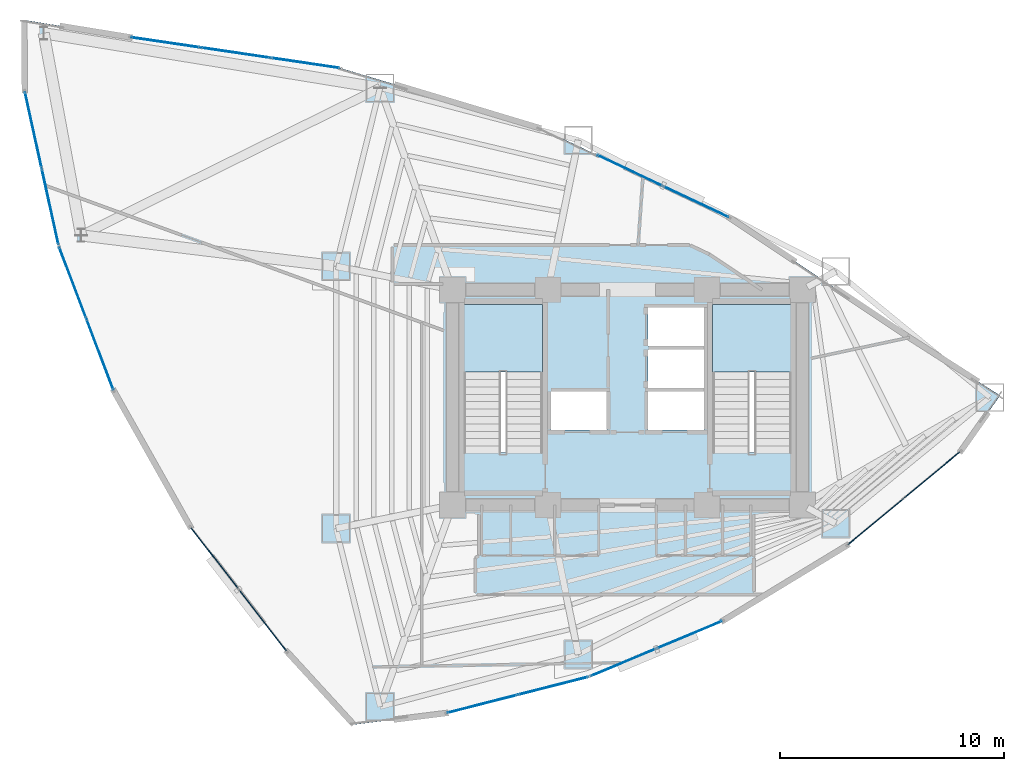
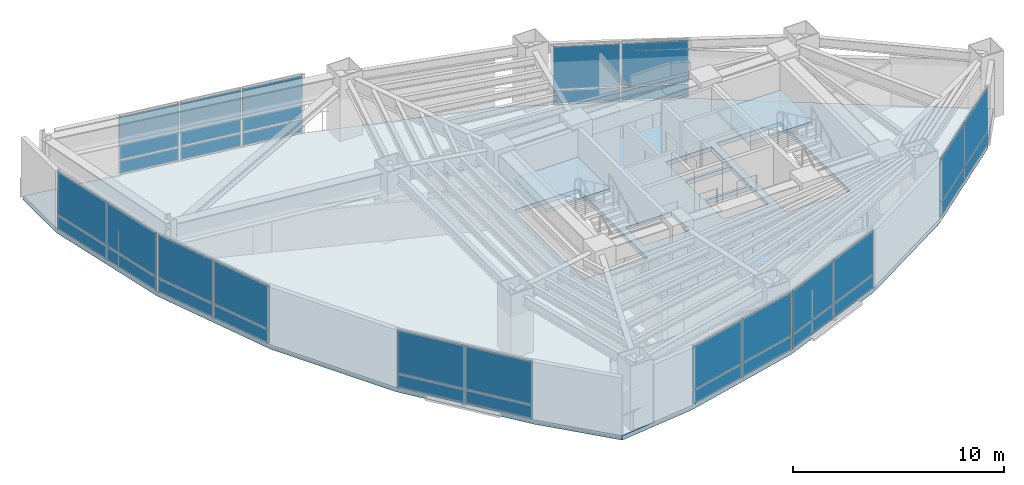
# One storey, part 18 of 25: 34 plates, 3 slabs, 10 elements without a shape of their own.
"""IFC4 building model written with IfcOpenShell, lengths in metres."""

from ifc_helpers import new_model, si_unit, direction, frame, origin, origin_2d, place, context, subcontext, project, spatial, polyline, rectangle, outline, extrude, material, layer, layer_set, type_object, element, aggregate, save


model = new_model("IFC4")

# Units and contexts
model_context = context("Model", 3, precision=1e-05, world=origin(), true_north=direction((0.0, 1.0)))
body_context = subcontext(model_context, "Body", "Model", "MODEL_VIEW")
ifc_project = project(units=[si_unit("LENGTHUNIT", "METRE"), si_unit("AREAUNIT", "SQUARE_METRE"), si_unit("VOLUMEUNIT", "CUBIC_METRE"), si_unit("PLANEANGLEUNIT", "RADIAN"), si_unit("MASSUNIT", "GRAM", prefix="KILO")], contexts=[model_context])

# Site, building, storey
site_placement = place(None, origin())
site = spatial("IfcSite", under=ifc_project, at=site_placement, CompositionType="ELEMENT")
building_placement = place(site_placement, origin())
building = spatial("IfcBuilding", under=site, at=building_placement, Name="Menara Vayukalpa", CompositionType="ELEMENT")
storey_placement = place(building_placement, frame((0.0, 0.0, 115.139892578125)))
storey = spatial("IfcBuildingStorey", under=building, at=storey_placement, Name="L28", CompositionType="ELEMENT", Elevation=115.139892578125)

# Curtain wall, plates
ifc_material_1 = material(Name="Anodised Terracotta Aluminium Alloy 6063-T6", Category="masonry")
ifc_layer_1 = layer(ifc_material_1, 0.179931640625)
ifc_layer_set_1 = layer_set([ifc_layer_1], Name="Anodised Terracotta Aluminium Alloy 6063-T6")
curtain_wall_type = type_object("IfcCurtainWallType", Name="CW-CW4", PredefinedType="USERDEFINED", material=ifc_layer_set_1)
curtain_wall_1_placement = place(storey_placement, origin())
curtain_wall_1 = element("IfcCurtainWall", 1, at=curtain_wall_1_placement, inside=storey, type_object=curtain_wall_type, Name="L28 Sky Bar Cantilever Glazed Curtain Wall CW4 05", ObjectType="UNITISED", PredefinedType="USERDEFINED")
ifc_material_2 = material(Name="Low-E Double Glazing", Category="glass")
ifc_layer_2 = layer(ifc_material_2, 0.0380859375)
ifc_layer_set_2 = layer_set([ifc_layer_2], Name="Low-E Double Glazing")
plate_type = type_object("IfcPlateType", Name="CWP-CW4", PredefinedType="CURTAIN_PANEL", material=ifc_layer_set_2)
plate_1_placement = place(storey_placement, frame((28.653076171875, 30.7216796875, 0.070068359375), z_axis=(0.0, 0.0, 1.0), x_axis=(-0.903839947796, 0.427870715016, 0.0)))
plate_1 = element("IfcPlate", 2, at=plate_1_placement, type_object=plate_type, Name="CW4 panel 1.1", PredefinedType="CURTAIN_PANEL", context=body_context, shape_type="SweptSolid", body=[
    extrude(rectangle(XDim=3.18701171875, YDim=0.0380859375, at=origin_2d()), origin(), (0.0, 0.0, 1.0), 0.7451171875),
])
plate_2_placement = place(storey_placement, frame((28.653076171875, 30.7216796875, 0.88525390625), z_axis=(0.0, 0.0, 1.0), x_axis=(-0.903839947796, 0.427870715016, 0.0)))
plate_2 = element("IfcPlate", 3, at=plate_2_placement, type_object=plate_type, Name="CW4 panel 1.2", PredefinedType="CURTAIN_PANEL", context=body_context, shape_type="SweptSolid", body=[
    extrude(rectangle(XDim=3.18701171875, YDim=0.0380859375, at=origin_2d()), origin(), (0.0, 0.0, 1.0), 2.485107421875),
])
plate_3_placement = place(storey_placement, frame((25.704833984375, 32.1171875, 0.070068359375), z_axis=(0.0, 0.0, 1.0), x_axis=(-0.903839947796, 0.427870715016, 0.0)))
plate_3 = element("IfcPlate", 4, at=plate_3_placement, type_object=plate_type, Name="CW4 panel 2.1", PredefinedType="CURTAIN_PANEL", context=body_context, shape_type="SweptSolid", body=[
    extrude(rectangle(XDim=3.18701171875, YDim=0.0380859375, at=origin_2d()), origin(), (0.0, 0.0, 1.0), 0.7451171875),
])
plate_4_placement = place(storey_placement, frame((25.704833984375, 32.1171875, 0.88525390625), z_axis=(0.0, 0.0, 1.0), x_axis=(-0.903839947796, 0.427870715016, 0.0)))
plate_4 = element("IfcPlate", 5, at=plate_4_placement, type_object=plate_type, Name="CW4 panel 2.2", PredefinedType="CURTAIN_PANEL", context=body_context, shape_type="SweptSolid", body=[
    extrude(rectangle(XDim=3.18701171875, YDim=0.0380859375, at=origin_2d()), origin(), (0.0, 0.0, 1.0), 2.485107421875),
])
aggregate(curtain_wall_1, [plate_1, plate_2, plate_3, plate_4])

curtain_wall_2_placement = place(storey_placement, origin())
curtain_wall_2 = element("IfcCurtainWall", 6, at=curtain_wall_2_placement, inside=storey, type_object=curtain_wall_type, Name="L28 Sky Bar Cantilever Glazed Curtain Wall CW4 07", ObjectType="UNITISED", PredefinedType="USERDEFINED")
plate_5_placement = place(storey_placement, frame((11.241455078125, 36.909423828125, 0.070068359375), z_axis=(0.0, 0.0, 1.0), x_axis=(-0.989365495659, 0.145450733924, 0.0)))
plate_5 = element("IfcPlate", 7, at=plate_5_placement, type_object=plate_type, Name="CW4 panel 1.1", PredefinedType="CURTAIN_PANEL", context=body_context, shape_type="SweptSolid", body=[
    extrude(rectangle(XDim=3.06005859375, YDim=0.0380859375, at=origin_2d()), origin(), (0.0, 0.0, 1.0), 0.7451171875),
])
plate_6_placement = place(storey_placement, frame((11.241455078125, 36.909423828125, 0.88525390625), z_axis=(0.0, 0.0, 1.0), x_axis=(-0.989365495659, 0.145450733924, 0.0)))
plate_6 = element("IfcPlate", 8, at=plate_6_placement, type_object=plate_type, Name="CW4 panel 1.2", PredefinedType="CURTAIN_PANEL", context=body_context, shape_type="SweptSolid", body=[
    extrude(rectangle(XDim=3.06005859375, YDim=0.0380859375, at=origin_2d()), origin(), (0.0, 0.0, 1.0), 2.485107421875),
])
plate_7_placement = place(storey_placement, frame((8.121337890625, 37.3681640625, 0.070068359375), z_axis=(0.0, 0.0, 1.0), x_axis=(-0.989365495659, 0.145450733924, 0.0)))
plate_7 = element("IfcPlate", 9, at=plate_7_placement, type_object=plate_type, Name="CW4 panel 2.1", PredefinedType="CURTAIN_PANEL", context=body_context, shape_type="SweptSolid", body=[
    extrude(rectangle(XDim=3.097412109375, YDim=0.0380859375, at=origin_2d()), origin(), (0.0, 0.0, 1.0), 0.7451171875),
])
plate_8_placement = place(storey_placement, frame((8.121337890625, 37.3681640625, 0.88525390625), z_axis=(0.0, 0.0, 1.0), x_axis=(-0.989365495659, 0.145450733924, 0.0)))
plate_8 = element("IfcPlate", 10, at=plate_8_placement, type_object=plate_type, Name="CW4 panel 2.2", PredefinedType="CURTAIN_PANEL", context=body_context, shape_type="SweptSolid", body=[
    extrude(rectangle(XDim=3.097412109375, YDim=0.0380859375, at=origin_2d()), origin(), (0.0, 0.0, 1.0), 2.485107421875),
])
plate_9_placement = place(storey_placement, frame((5.001220703125, 37.826904296875, 0.070068359375), z_axis=(0.0, 0.0, 1.0), x_axis=(-0.989365495659, 0.145450733924, 0.0)))
plate_9 = element("IfcPlate", 11, at=plate_9_placement, type_object=plate_type, Name="CW4 panel 3.1", PredefinedType="CURTAIN_PANEL", context=body_context, shape_type="SweptSolid", body=[
    extrude(rectangle(XDim=3.06005859375, YDim=0.0380859375, at=origin_2d()), origin(), (0.0, 0.0, 1.0), 0.7451171875),
])
plate_10_placement = place(storey_placement, frame((5.001220703125, 37.826904296875, 0.88525390625), z_axis=(0.0, 0.0, 1.0), x_axis=(-0.989365495659, 0.145450733924, 0.0)))
plate_10 = element("IfcPlate", 12, at=plate_10_placement, type_object=plate_type, Name="CW4 panel 3.2", PredefinedType="CURTAIN_PANEL", context=body_context, shape_type="SweptSolid", body=[
    extrude(rectangle(XDim=3.06005859375, YDim=0.0380859375, at=origin_2d()), origin(), (0.0, 0.0, 1.0), 2.485107421875),
])
aggregate(curtain_wall_2, [plate_5, plate_6, plate_7, plate_8, plate_9, plate_10])

curtain_wall_3_placement = place(storey_placement, origin())
curtain_wall_3 = element("IfcCurtainWall", 13, at=curtain_wall_3_placement, inside=storey, type_object=curtain_wall_type, Name="L28 Sky Bar Cantilever Glazed Curtain Wall CW4 10", ObjectType="UNITISED", PredefinedType="USERDEFINED")
plate_11_placement = place(storey_placement, frame((-0.8916015625, 33.92529296875, 0.070068359375), z_axis=(0.0, 0.0, 1.0), x_axis=(0.214510159112, -0.976721757533, 0.0)))
plate_11 = element("IfcPlate", 14, at=plate_11_placement, type_object=plate_type, Name="CW4 panel 1.1", PredefinedType="CURTAIN_PANEL", context=body_context, shape_type="SweptSolid", body=[
    extrude(rectangle(XDim=3.427734375, YDim=0.0380859375, at=origin_2d()), origin(), (0.0, 0.0, 1.0), 0.7451171875),
])
plate_12_placement = place(storey_placement, frame((-0.8916015625, 33.92529296875, 0.88525390625), z_axis=(0.0, 0.0, 1.0), x_axis=(0.214510159112, -0.976721757533, 0.0)))
plate_12 = element("IfcPlate", 15, at=plate_12_placement, type_object=plate_type, Name="CW4 panel 1.2", PredefinedType="CURTAIN_PANEL", context=body_context, shape_type="SweptSolid", body=[
    extrude(rectangle(XDim=3.427734375, YDim=0.0380859375, at=origin_2d()), origin(), (0.0, 0.0, 1.0), 2.485107421875),
])
plate_13_placement = place(storey_placement, frame((-0.14013671875, 30.50439453125, 0.070068359375), z_axis=(0.0, 0.0, 1.0), x_axis=(0.214510159112, -0.976721757533, 0.0)))
plate_13 = element("IfcPlate", 16, at=plate_13_placement, type_object=plate_type, Name="CW4 panel 2.1", PredefinedType="CURTAIN_PANEL", context=body_context, shape_type="SweptSolid", body=[
    extrude(rectangle(XDim=3.427734375, YDim=0.0380859375, at=origin_2d()), origin(), (0.0, 0.0, 1.0), 0.7451171875),
])
plate_14_placement = place(storey_placement, frame((-0.14013671875, 30.50439453125, 0.88525390625), z_axis=(0.0, 0.0, 1.0), x_axis=(0.214510159112, -0.976721757533, 0.0)))
plate_14 = element("IfcPlate", 17, at=plate_14_placement, type_object=plate_type, Name="CW4 panel 2.2", PredefinedType="CURTAIN_PANEL", context=body_context, shape_type="SweptSolid", body=[
    extrude(rectangle(XDim=3.427734375, YDim=0.0380859375, at=origin_2d()), origin(), (0.0, 0.0, 1.0), 2.485107421875),
])
aggregate(curtain_wall_3, [plate_11, plate_12, plate_13, plate_14])

curtain_wall_4_placement = place(storey_placement, origin())
curtain_wall_4 = element("IfcCurtainWall", 18, at=curtain_wall_4_placement, inside=storey, type_object=curtain_wall_type, Name="L28 Sky Bar Cantilever Glazed Curtain Wall CW4 11", ObjectType="UNITISED", PredefinedType="USERDEFINED")
plate_15_placement = place(storey_placement, frame((0.864501953125, 27.120361328125, 0.070068359375), z_axis=(0.0, 0.0, 1.0), x_axis=(0.354742140657, -0.934964177732, 0.0)))
plate_15 = element("IfcPlate", 19, at=plate_15_placement, type_object=plate_type, Name="CW4 panel 1.1", PredefinedType="CURTAIN_PANEL", context=body_context, shape_type="SweptSolid", body=[
    extrude(rectangle(XDim=3.35107421875, YDim=0.0380859375, at=origin_2d()), origin(), (0.0, 0.0, 1.0), 0.7451171875),
])
plate_16_placement = place(storey_placement, frame((0.864501953125, 27.120361328125, 0.88525390625), z_axis=(0.0, 0.0, 1.0), x_axis=(0.354742140657, -0.934964177732, 0.0)))
plate_16 = element("IfcPlate", 20, at=plate_16_placement, type_object=plate_type, Name="CW4 panel 1.2", PredefinedType="CURTAIN_PANEL", context=body_context, shape_type="SweptSolid", body=[
    extrude(rectangle(XDim=3.35107421875, YDim=0.0380859375, at=origin_2d()), origin(), (0.0, 0.0, 1.0), 2.485107421875),
])
plate_17_placement = place(storey_placement, frame((2.079833984375, 23.917236328125, 0.070068359375), z_axis=(0.0, 0.0, 1.0), x_axis=(0.354742140657, -0.934964177732, 0.0)))
plate_17 = element("IfcPlate", 21, at=plate_17_placement, type_object=plate_type, Name="CW4 panel 2.1", PredefinedType="CURTAIN_PANEL", context=body_context, shape_type="SweptSolid", body=[
    extrude(rectangle(XDim=3.35107421875, YDim=0.0380859375, at=origin_2d()), origin(), (0.0, 0.0, 1.0), 0.7451171875),
])
plate_18_placement = place(storey_placement, frame((2.079833984375, 23.917236328125, 0.88525390625), z_axis=(0.0, 0.0, 1.0), x_axis=(0.354742140657, -0.934964177732, 0.0)))
plate_18 = element("IfcPlate", 22, at=plate_18_placement, type_object=plate_type, Name="CW4 panel 2.2", PredefinedType="CURTAIN_PANEL", context=body_context, shape_type="SweptSolid", body=[
    extrude(rectangle(XDim=3.35107421875, YDim=0.0380859375, at=origin_2d()), origin(), (0.0, 0.0, 1.0), 2.485107421875),
])
aggregate(curtain_wall_4, [plate_15, plate_16, plate_17, plate_18])

curtain_wall_5_placement = place(storey_placement, origin())
curtain_wall_5 = element("IfcCurtainWall", 23, at=curtain_wall_5_placement, inside=storey, type_object=curtain_wall_type, Name="L28 Sky Bar Cantilever Glazed Curtain Wall CW4 13", ObjectType="UNITISED", PredefinedType="USERDEFINED")
plate_19_placement = place(storey_placement, frame((7.19189453125, 14.82861328125, 0.070068359375), z_axis=(0.0, 0.0, 1.0), x_axis=(0.612188860273, -0.790711577857, 0.0)))
plate_19 = element("IfcPlate", 24, at=plate_19_placement, type_object=plate_type, Name="CW4 panel 1.1", PredefinedType="CURTAIN_PANEL", context=body_context, shape_type="SweptSolid", body=[
    extrude(rectangle(XDim=3.427734375, YDim=0.0380859375, at=origin_2d()), origin(), (0.0, 0.0, 1.0), 0.7451171875),
])
plate_20_placement = place(storey_placement, frame((7.19189453125, 14.82861328125, 0.88525390625), z_axis=(0.0, 0.0, 1.0), x_axis=(0.612188860273, -0.790711577857, 0.0)))
plate_20 = element("IfcPlate", 25, at=plate_20_placement, type_object=plate_type, Name="CW4 panel 1.2", PredefinedType="CURTAIN_PANEL", context=body_context, shape_type="SweptSolid", body=[
    extrude(rectangle(XDim=3.427734375, YDim=0.0380859375, at=origin_2d()), origin(), (0.0, 0.0, 1.0), 2.485107421875),
])
plate_21_placement = place(storey_placement, frame((9.336181640625, 12.05908203125, 0.070068359375), z_axis=(0.0, 0.0, 1.0), x_axis=(0.612188860273, -0.790711577857, 0.0)))
plate_21 = element("IfcPlate", 26, at=plate_21_placement, type_object=plate_type, Name="CW4 panel 2.1", PredefinedType="CURTAIN_PANEL", context=body_context, shape_type="SweptSolid", body=[
    extrude(rectangle(XDim=3.427734375, YDim=0.0380859375, at=origin_2d()), origin(), (0.0, 0.0, 1.0), 0.7451171875),
])
plate_22_placement = place(storey_placement, frame((9.336181640625, 12.05908203125, 0.88525390625), z_axis=(0.0, 0.0, 1.0), x_axis=(0.612188860273, -0.790711577857, 0.0)))
plate_22 = element("IfcPlate", 27, at=plate_22_placement, type_object=plate_type, Name="CW4 panel 2.2", PredefinedType="CURTAIN_PANEL", context=body_context, shape_type="SweptSolid", body=[
    extrude(rectangle(XDim=3.427734375, YDim=0.0380859375, at=origin_2d()), origin(), (0.0, 0.0, 1.0), 2.485107421875),
])
aggregate(curtain_wall_5, [plate_19, plate_20, plate_21, plate_22])

curtain_wall_6_placement = place(storey_placement, origin())
curtain_wall_6 = element("IfcCurtainWall", 28, at=curtain_wall_6_placement, inside=storey, type_object=curtain_wall_type, Name="L28 Sky Bar Cantilever Glazed Curtain Wall CW4 16", ObjectType="UNITISED", PredefinedType="USERDEFINED")
plate_23_placement = place(storey_placement, frame((19.1279296875, 8.33349609375, 0.070068359375), z_axis=(0.0, 0.0, 1.0), x_axis=(0.968982181476, 0.247130597017, 0.0)))
plate_23 = element("IfcPlate", 29, at=plate_23_placement, type_object=plate_type, Name="CW4 panel 1.1", PredefinedType="CURTAIN_PANEL", context=body_context, shape_type="SweptSolid", body=[
    extrude(rectangle(XDim=3.1884765625, YDim=0.0380859375, at=origin_2d()), origin(), (0.0, 0.0, 1.0), 0.7451171875),
])
plate_24_placement = place(storey_placement, frame((19.1279296875, 8.33349609375, 0.88525390625), z_axis=(0.0, 0.0, 1.0), x_axis=(0.968982181476, 0.247130597017, 0.0)))
plate_24 = element("IfcPlate", 30, at=plate_24_placement, type_object=plate_type, Name="CW4 panel 1.2", PredefinedType="CURTAIN_PANEL", context=body_context, shape_type="SweptSolid", body=[
    extrude(rectangle(XDim=3.1884765625, YDim=0.0380859375, at=origin_2d()), origin(), (0.0, 0.0, 1.0), 2.485107421875),
])
plate_25_placement = place(storey_placement, frame((22.2900390625, 9.139892578125, 0.070068359375), z_axis=(0.0, 0.0, 1.0), x_axis=(0.968982181476, 0.247130597017, 0.0)))
plate_25 = element("IfcPlate", 31, at=plate_25_placement, type_object=plate_type, Name="CW4 panel 2.1", PredefinedType="CURTAIN_PANEL", context=body_context, shape_type="SweptSolid", body=[
    extrude(rectangle(XDim=3.1884765625, YDim=0.0380859375, at=origin_2d()), origin(), (0.0, 0.0, 1.0), 0.7451171875),
])
plate_26_placement = place(storey_placement, frame((22.2900390625, 9.139892578125, 0.88525390625), z_axis=(0.0, 0.0, 1.0), x_axis=(0.968982181476, 0.247130597017, 0.0)))
plate_26 = element("IfcPlate", 32, at=plate_26_placement, type_object=plate_type, Name="CW4 panel 2.2", PredefinedType="CURTAIN_PANEL", context=body_context, shape_type="SweptSolid", body=[
    extrude(rectangle(XDim=3.1884765625, YDim=0.0380859375, at=origin_2d()), origin(), (0.0, 0.0, 1.0), 2.485107421875),
])
aggregate(curtain_wall_6, [plate_23, plate_24, plate_25, plate_26])

curtain_wall_7_placement = place(storey_placement, origin())
curtain_wall_7 = element("IfcCurtainWall", 33, at=curtain_wall_7_placement, inside=storey, type_object=curtain_wall_type, Name="L28 Sky Bar Cantilever Glazed Curtain Wall CW4 17", ObjectType="UNITISED", PredefinedType="USERDEFINED")
plate_27_placement = place(storey_placement, frame((25.414306640625, 10.1826171875, 0.070068359375), z_axis=(0.0, 0.0, 1.0), x_axis=(0.922543300632, 0.38589358437, 0.0)))
plate_27 = element("IfcPlate", 34, at=plate_27_placement, type_object=plate_type, Name="CW4 panel 1.1", PredefinedType="CURTAIN_PANEL", context=body_context, shape_type="SweptSolid", body=[
    extrude(rectangle(XDim=3.116943359375, YDim=0.0380859375, at=origin_2d()), origin(), (0.0, 0.0, 1.0), 0.7451171875),
])
plate_28_placement = place(storey_placement, frame((25.414306640625, 10.1826171875, 0.88525390625), z_axis=(0.0, 0.0, 1.0), x_axis=(0.922543300632, 0.38589358437, 0.0)))
plate_28 = element("IfcPlate", 35, at=plate_28_placement, type_object=plate_type, Name="CW4 panel 1.2", PredefinedType="CURTAIN_PANEL", context=body_context, shape_type="SweptSolid", body=[
    extrude(rectangle(XDim=3.116943359375, YDim=0.0380859375, at=origin_2d()), origin(), (0.0, 0.0, 1.0), 2.485107421875),
])
plate_29_placement = place(storey_placement, frame((28.35888671875, 11.41455078125, 0.070068359375), z_axis=(0.0, 0.0, 1.0), x_axis=(0.922543300632, 0.38589358437, 0.0)))
plate_29 = element("IfcPlate", 36, at=plate_29_placement, type_object=plate_type, Name="CW4 panel 2.1", PredefinedType="CURTAIN_PANEL", context=body_context, shape_type="SweptSolid", body=[
    extrude(rectangle(XDim=3.116943359375, YDim=0.0380859375, at=origin_2d()), origin(), (0.0, 0.0, 1.0), 0.7451171875),
])
plate_30_placement = place(storey_placement, frame((28.35888671875, 11.41455078125, 0.88525390625), z_axis=(0.0, 0.0, 1.0), x_axis=(0.922543300632, 0.38589358437, 0.0)))
plate_30 = element("IfcPlate", 37, at=plate_30_placement, type_object=plate_type, Name="CW4 panel 2.2", PredefinedType="CURTAIN_PANEL", context=body_context, shape_type="SweptSolid", body=[
    extrude(rectangle(XDim=3.116943359375, YDim=0.0380859375, at=origin_2d()), origin(), (0.0, 0.0, 1.0), 2.485107421875),
])
aggregate(curtain_wall_7, [plate_27, plate_28, plate_29, plate_30])

curtain_wall_8_placement = place(storey_placement, origin())
curtain_wall_8 = element("IfcCurtainWall", 38, at=curtain_wall_8_placement, inside=storey, type_object=curtain_wall_type, Name="L28 Sky Bar Cantilever Glazed Curtain Wall CW4 19", ObjectType="UNITISED", PredefinedType="USERDEFINED")
plate_31_placement = place(storey_placement, frame((36.6708984375, 16.463623046875, 0.070068359375), z_axis=(0.0, 0.0, 1.0), x_axis=(0.769749972797, 0.638345501574, 0.0)))
plate_31 = element("IfcPlate", 39, at=plate_31_placement, type_object=plate_type, Name="CW4 panel 1.1", PredefinedType="CURTAIN_PANEL", context=body_context, shape_type="SweptSolid", body=[
    extrude(rectangle(XDim=3.1884765625, YDim=0.0380859375, at=origin_2d()), origin(), (0.0, 0.0, 1.0), 0.7451171875),
])
plate_32_placement = place(storey_placement, frame((36.6708984375, 16.463623046875, 0.88525390625), z_axis=(0.0, 0.0, 1.0), x_axis=(0.769749972797, 0.638345501574, 0.0)))
plate_32 = element("IfcPlate", 40, at=plate_32_placement, type_object=plate_type, Name="CW4 panel 1.2", PredefinedType="CURTAIN_PANEL", context=body_context, shape_type="SweptSolid", body=[
    extrude(rectangle(XDim=3.1884765625, YDim=0.0380859375, at=origin_2d()), origin(), (0.0, 0.0, 1.0), 2.485107421875),
])
plate_33_placement = place(storey_placement, frame((39.182861328125, 18.546875, 0.070068359375), z_axis=(0.0, 0.0, 1.0), x_axis=(0.769749972797, 0.638345501574, 0.0)))
plate_33 = element("IfcPlate", 41, at=plate_33_placement, type_object=plate_type, Name="CW4 panel 2.1", PredefinedType="CURTAIN_PANEL", context=body_context, shape_type="SweptSolid", body=[
    extrude(rectangle(XDim=3.1884765625, YDim=0.0380859375, at=origin_2d()), origin(), (0.0, 0.0, 1.0), 0.7451171875),
])
plate_34_placement = place(storey_placement, frame((39.182861328125, 18.546875, 0.88525390625), z_axis=(0.0, 0.0, 1.0), x_axis=(0.769749972797, 0.638345501574, 0.0)))
plate_34 = element("IfcPlate", 42, at=plate_34_placement, type_object=plate_type, Name="CW4 panel 2.2", PredefinedType="CURTAIN_PANEL", context=body_context, shape_type="SweptSolid", body=[
    extrude(rectangle(XDim=3.1884765625, YDim=0.0380859375, at=origin_2d()), origin(), (0.0, 0.0, 1.0), 2.485107421875),
])
aggregate(curtain_wall_8, [plate_31, plate_32, plate_33, plate_34])

# Slab
ifc_material_3 = material(Name="Concrete C40/50", Category="concrete")
ifc_layer_3 = layer(ifc_material_3, 0.25)
ifc_layer_set_3 = layer_set([ifc_layer_3], Name="Concrete C40/50")
slab_type_1 = type_object("IfcSlabType", Name="SLB-FL250", PredefinedType="FLOOR", material=ifc_layer_set_3)
slab_1_placement = place(storey_placement, frame((0.0, 0.0, -0.25)))
element("IfcSlab", 43, at=slab_1_placement, inside=storey, type_object=slab_type_1, Name="L28 Sky Bar Structural Floor Slab", PredefinedType="FLOOR", context=body_context, shape_type="SweptSolid", body=[
    extrude(outline(polyline([(40.4677734375, 19.6123046875), (42.214111328125, 22.083984375), (38.076904296875, 24.7236328125), (30.1611328125, 30.0078125), (21.745361328125, 33.99169921875), (12.829345703125, 36.676025390625), (3.4130859375, 38.060302734375), (-1.298583984375, 38.8251953125), (-1.275390625, 35.672607421875), (0.243408203125, 28.757080078125), (2.70068359375, 22.280517578125), (6.0966796875, 16.2431640625), (10.43115234375, 10.64453125), (13.396240234375, 7.407958984375), (17.510498046875, 7.9208984375), (23.907470703125, 9.552490234375), (29.865966796875, 12.044921875), (35.385986328125, 15.398193359375), (40.4677734375, 19.6123046875)]), holes=[polyline([(21.800048828125, 19.550048828125), (21.800048828125, 26.14990234375), (18.300048828125, 26.14990234375), (18.300048828125, 19.550048828125), (21.800048828125, 19.550048828125)]), polyline([(32.89990234375, 19.550048828125), (32.89990234375, 26.14990234375), (29.39990234375, 26.14990234375), (29.39990234375, 19.550048828125), (32.89990234375, 19.550048828125)]), polyline([(22.179931640625, 20.550048828125), (24.679931640625, 20.550048828125), (24.679931640625, 22.27001953125), (22.179931640625, 22.27001953125), (22.179931640625, 20.550048828125)]), polyline([(26.52001953125, 20.550048828125), (29.02001953125, 20.550048828125), (29.02001953125, 22.27001953125), (26.52001953125, 22.27001953125), (26.52001953125, 20.550048828125)]), polyline([(26.52001953125, 24.2900390625), (29.02001953125, 24.2900390625), (29.02001953125, 26.010009765625), (26.52001953125, 26.010009765625), (26.52001953125, 24.2900390625)]), polyline([(26.52001953125, 22.419921875), (29.02001953125, 22.419921875), (29.02001953125, 24.139892578125), (26.52001953125, 24.139892578125), (26.52001953125, 22.419921875)])]), origin(), (0.0, 0.0, 1.0), 0.25),
])

# Stair, slab
ifc_material_4 = material(Name="Precast Concrete C40/50", Category="concrete")
stair_type = type_object("IfcStairType", Name="STR-T04", PredefinedType="DOUBLE_RETURN_STAIR", material=ifc_material_4)
stair_1_placement = place(storey_placement, origin())
stair_1 = element("IfcStair", 44, at=stair_1_placement, inside=storey, type_object=stair_type, Name="L28 Core Exit Stair ST-1", PredefinedType="DOUBLE_RETURN_STAIR")
ifc_material_5 = material(Name="Precast Concrete C40/50", Category="concrete")
ifc_layer_4 = layer(ifc_material_5, 0.199951171875)
ifc_layer_set_4 = layer_set([ifc_layer_4], Name="Precast Concrete C40/50")
slab_type_2 = type_object("IfcSlabType", Name="SLB-LND200", PredefinedType="LANDING", material=ifc_layer_set_4)
slab_2_placement = place(storey_placement, frame((0.0, 0.0, 1.66015625)))
slab_2 = element("IfcSlab", 45, at=slab_2_placement, type_object=slab_type_2, Name="ST-1 landing 1", PredefinedType="LANDING", context=body_context, shape_type="SweptSolid", body=[
    extrude(outline(polyline([(21.800048828125, 23.1298828125), (21.800048828125, 26.14990234375), (18.300048828125, 26.14990234375), (18.300048828125, 23.1298828125), (21.800048828125, 23.1298828125)])), origin(), (0.0, 0.0, 1.0), 0.199951171875),
])
aggregate(stair_1, [slab_2])

stair_2_placement = place(storey_placement, origin())
stair_2 = element("IfcStair", 46, at=stair_2_placement, inside=storey, type_object=stair_type, Name="L28 Core Exit Stair ST-2", PredefinedType="DOUBLE_RETURN_STAIR")
slab_3_placement = place(storey_placement, frame((0.0, 0.0, 1.66015625)))
slab_3 = element("IfcSlab", 47, at=slab_3_placement, type_object=slab_type_2, Name="ST-2 landing 1", PredefinedType="LANDING", context=body_context, shape_type="SweptSolid", body=[
    extrude(outline(polyline([(32.89990234375, 23.1298828125), (32.89990234375, 26.14990234375), (29.39990234375, 26.14990234375), (29.39990234375, 23.1298828125), (32.89990234375, 23.1298828125)])), origin(), (0.0, 0.0, 1.0), 0.199951171875),
])
aggregate(stair_2, [slab_3])

save(model, "model.ifc")
